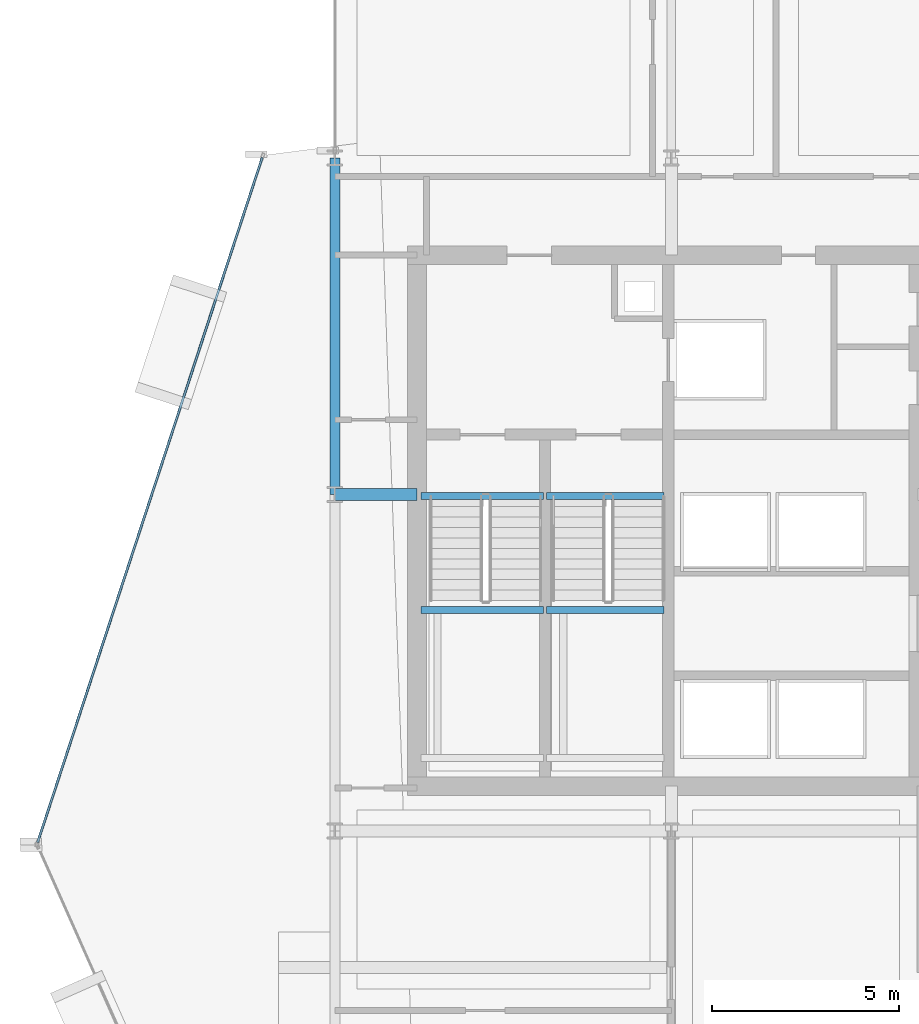
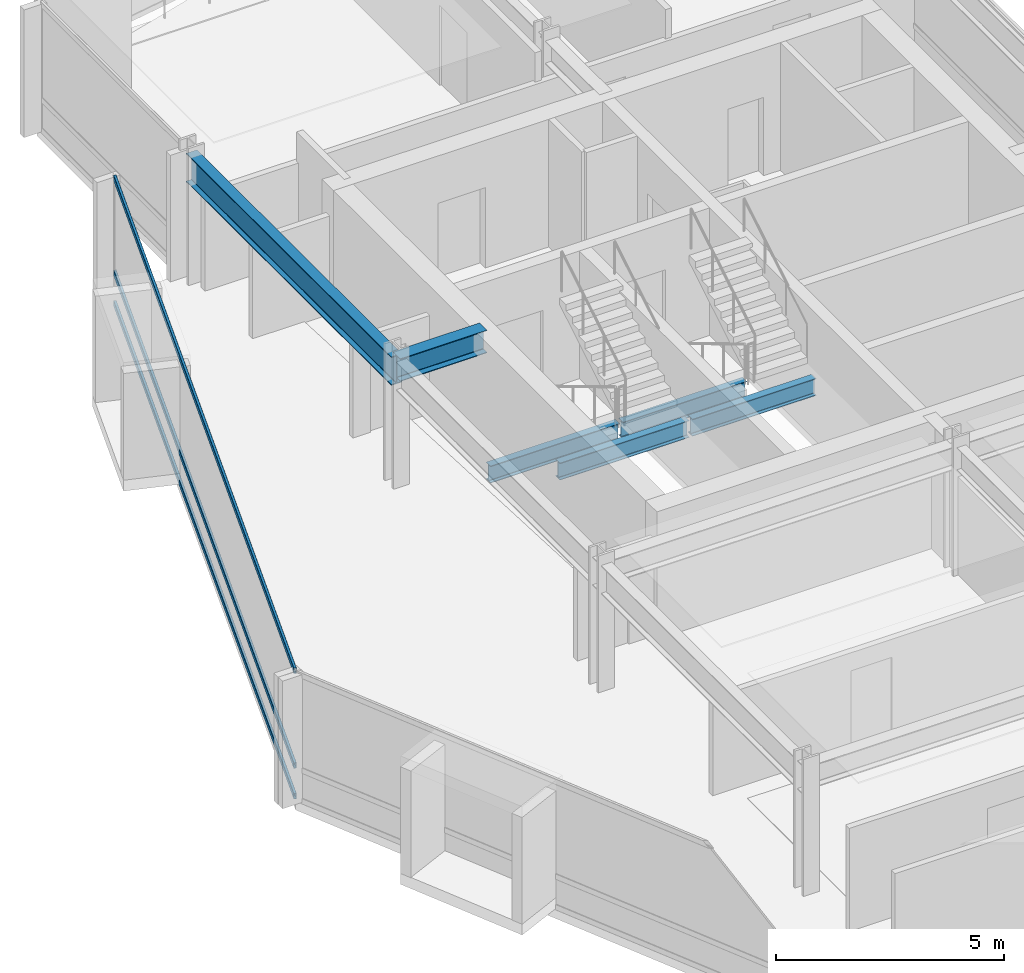
# One storey, part 15 of 29: 6 beams, 3 members, 1 element without a shape of its own.
"""IFC4 building model written with IfcOpenShell, lengths in metres."""

import ifcopenshell
import ifcopenshell.guid

model = None  # the IFC model being written
_history = None  # IfcOwnerHistory: only IFC2X3 demands one
_inside = {}  # id of a spatial element -> (the spatial element, [elements in it])
_under = {}  # id of a project, library or spatial element -> (it, [spatial elements below it])
_declared = {}  # id of a project -> (the project, [libraries it declares])
_typed = {}  # id of a type object -> (the type object, [elements of that type])
_made_of = {}  # id of a material, layer set ... -> (it, [elements and type objects made of it])


def new_model(schema):
    """Start an empty IFC model of exactly this schema.

    Asked for "IFC4X3", IfcOpenShell would pick the latest addendum, in which some entities
    have other attributes; the version numbers below select the first issue.
    IFC2X3 requires an IfcOwnerHistory on every rooted entity: one is made here for all.
    """
    global model, _history
    if schema == "IFC4X3":
        model = ifcopenshell.file(schema_version=(4, 3, 0, 0))
    else:
        model = ifcopenshell.file(schema=schema)
    _inside.clear()
    _under.clear()
    _declared.clear()
    _typed.clear()
    _made_of.clear()
    _history = None
    if model.schema == "IFC2X3":
        org = make("IfcOrganization", Name="unknown")
        user = make(
            "IfcPersonAndOrganization",
            ThePerson=make("IfcPerson", FamilyName="unknown"),
            TheOrganization=org,
        )
        app = make(
            "IfcApplication",
            ApplicationDeveloper=org,
            Version="unknown",
            ApplicationFullName="unknown",
            ApplicationIdentifier="unknown",
        )
        _history = make(
            "IfcOwnerHistory",
            OwningUser=user,
            OwningApplication=app,
            ChangeAction="ADDED",
            CreationDate=0,
        )
    return model


def make(cls, **values):
    """One entity of the class cls with the attributes given. An attribute that is None is left unset."""
    return model.create_entity(
        cls, **{name: value for name, value in values.items() if value is not None}
    )


def rooted(cls, **values):
    """An entity with a GlobalId (a new one), such as an element, a storey or a relation."""
    return make(cls, GlobalId=ifcopenshell.guid.new(), OwnerHistory=_history, **values)


def si_unit(unit_type, name, prefix=None):
    """IfcSIUnit, for example si_unit("LENGTHUNIT", "METRE", prefix="MILLI")."""
    return make("IfcSIUnit", UnitType=unit_type, Prefix=prefix, Name=name)


def assignment(units):
    """IfcUnitAssignment: the units of a project."""
    return None if units is None else make("IfcUnitAssignment", Units=units)


def point(xyz):
    """IfcCartesianPoint."""
    return None if xyz is None else make("IfcCartesianPoint", Coordinates=xyz)


def direction(xyz):
    """IfcDirection."""
    return None if xyz is None else make("IfcDirection", DirectionRatios=xyz)


def frame(location, z_axis=None, x_axis=None):
    """IfcAxis2Placement3D, a coordinate frame: its origin and axes. An axis left out is left unset."""
    return make(
        "IfcAxis2Placement3D",
        Location=point(location),
        Axis=direction(z_axis),
        RefDirection=direction(x_axis),
    )


def frame_2d(location, x_axis=None):
    """IfcAxis2Placement2D, a coordinate frame in the plane: its origin and x axis."""
    return make(
        "IfcAxis2Placement2D", Location=point(location), RefDirection=direction(x_axis)
    )


def origin():
    """The frame at (0, 0, 0) with its axes left unset."""
    return frame((0.0, 0.0, 0.0))


def origin_2d():
    """The frame at (0, 0) in the plane with its x axis left unset."""
    return frame_2d((0.0, 0.0))


def place(relative_to, where):
    """IfcLocalPlacement: puts the frame where relative to a parent placement (None: the world)."""
    return make(
        "IfcLocalPlacement", PlacementRelTo=relative_to, RelativePlacement=where
    )


def context(
    kind, dimensions, precision=None, world=None, true_north=None, identifier=None
):
    """IfcGeometricRepresentationContext, for example the 3D "Model" context."""
    return make(
        "IfcGeometricRepresentationContext",
        ContextIdentifier=identifier,
        ContextType=kind,
        CoordinateSpaceDimension=dimensions,
        Precision=precision,
        WorldCoordinateSystem=world,
        TrueNorth=true_north,
    )


def subcontext(parent, identifier, kind, view, scale=None):
    """IfcGeometricRepresentationSubContext, for example "Body" below "Model"."""
    return make(
        "IfcGeometricRepresentationSubContext",
        ContextIdentifier=identifier,
        ContextType=kind,
        ParentContext=parent,
        TargetScale=scale,
        TargetView=view,
    )


def project(units=None, contexts=None):
    """IfcProject with its units and contexts."""
    return rooted(
        "IfcProject",
        Name="project",
        RepresentationContexts=contexts,
        UnitsInContext=assignment(units),
    )


def spatial(cls, under=None, at=None, **own):
    """A site, building, storey or space (cls), placed at a placement, below another one or the project."""
    s = rooted(cls, ObjectPlacement=at, **own)
    if under is not None:
        _under.setdefault(under.id(), (under, []))[1].append(s)
    return s


def profile(cls, at=None, kind="AREA", **sizes):
    """A parametric profile (cls). Its sizes go by their IFC names, for example OverallWidth=200.0."""
    return make(cls, ProfileType=kind, Position=at, **sizes)


def hollow_rectangle(**sizes):
    """IfcRectangleHollowProfileDef."""
    return profile("IfcRectangleHollowProfileDef", **sizes)


def i_section(**sizes):
    """IfcIShapeProfileDef."""
    return profile("IfcIShapeProfileDef", **sizes)


def extrude(swept, where, along, depth):
    """IfcExtrudedAreaSolid: the profile swept, set in the frame where, extruded along a direction by depth."""
    return make(
        "IfcExtrudedAreaSolid",
        SweptArea=swept,
        Position=where,
        ExtrudedDirection=direction(along),
        Depth=depth,
    )


def shape(context_of_items, identifier, shape_type, items):
    """IfcShapeRepresentation: the items that make up one representation, for example the "Body"."""
    return make(
        "IfcShapeRepresentation",
        ContextOfItems=context_of_items,
        RepresentationIdentifier=identifier,
        RepresentationType=shape_type,
        Items=items,
    )


def material(Name=None, Category=None):
    """IfcMaterial."""
    return make("IfcMaterial", Name=Name, Category=Category)


def layer(
    of_material, thickness, ventilated=None, Name=None, Category=None, Priority=None
):
    """IfcMaterialLayer: one layer of a wall or slab, of a material (None: an air gap)."""
    return make(
        "IfcMaterialLayer",
        Material=of_material,
        LayerThickness=thickness,
        IsVentilated=ventilated,
        Name=Name,
        Category=Category,
        Priority=Priority,
    )


def layer_set(layers, Name=None):
    """IfcMaterialLayerSet."""
    return make("IfcMaterialLayerSet", MaterialLayers=layers, LayerSetName=Name)


def material_profile(
    of_material, cross_section, Name=None, Category=None, Priority=None
):
    """IfcMaterialProfile: a cross section and its material."""
    return make(
        "IfcMaterialProfile",
        Name=Name,
        Material=of_material,
        Profile=cross_section,
        Priority=Priority,
        Category=Category,
    )


def profile_set(profiles, Name=None, composite=None):
    """IfcMaterialProfileSet."""
    return make(
        "IfcMaterialProfileSet",
        Name=Name,
        MaterialProfiles=profiles,
        CompositeProfile=composite,
    )


def made_of(thing, what):
    """Note that an element or type object is made of a material, layer set ...; save() writes the relation."""
    if what is not None:
        _made_of.setdefault(what.id(), (what, []))[1].append(thing)
    return thing


def type_object(cls, material=None, **own):
    """A type object (cls), such as IfcWallType, which elements share."""
    return made_of(rooted(cls, **own), material)


def element(
    cls,
    number,
    at=None,
    inside=None,
    cuts=None,
    type_object=None,
    material=None,
    context=None,
    identifier="Body",
    shape_type=None,
    held_by="IfcProductDefinitionShape",
    body=None,
    shapes=None,
    **own,
):
    """One element of the class cls, such as IfcWall. Its Tag is "e" and its number.

    at: its placement. inside: the storey or other place that contains it. cuts: it is an
    opening in that element (IfcRelVoidsElement). A single representation is given by context,
    identifier, shape_type and body (its items); several are given by shapes. held_by: the class
    of the entity that holds the representations. save() writes the other relations.
    """
    e = rooted(cls, Tag="e%d" % number, ObjectPlacement=at, **own)
    if body is not None:
        shapes = [shape(context, identifier, shape_type, body)]
    if shapes is not None:
        e.Representation = make(held_by, Representations=shapes)
    if inside is not None:
        _inside.setdefault(inside.id(), (inside, []))[1].append(e)
    if cuts is not None:
        rooted(
            "IfcRelVoidsElement", RelatingBuildingElement=cuts, RelatedOpeningElement=e
        )
    if type_object is not None:
        _typed.setdefault(type_object.id(), (type_object, []))[1].append(e)
    return made_of(e, material)


def aggregate(whole, parts):
    """IfcRelAggregates: a whole, such as a stair, and the parts it consists of."""
    return rooted("IfcRelAggregates", RelatingObject=whole, RelatedObjects=parts)


def save(model, path):
    """Write the relations noted so far, then the file.

    IfcRelAggregates (storeys below a building ...), IfcRelContainedInSpatialStructure (elements
    in a storey), IfcRelDefinesByType, IfcRelAssociatesMaterial and IfcRelDeclares: one each for
    every whole, place, type object, material and project.
    """
    for whole, parts in _under.values():
        aggregate(whole, parts)
    for where, things in _inside.values():
        rooted(
            "IfcRelContainedInSpatialStructure",
            RelatedElements=things,
            RelatingStructure=where,
        )
    for kind, things in _typed.values():
        rooted("IfcRelDefinesByType", RelatedObjects=things, RelatingType=kind)
    for what, things in _made_of.values():
        rooted("IfcRelAssociatesMaterial", RelatedObjects=things, RelatingMaterial=what)
    for by, libraries in _declared.values():
        rooted("IfcRelDeclares", RelatingContext=by, RelatedDefinitions=libraries)
    model.write(path)


model = new_model("IFC4")

# Units and contexts
model_context = context("Model", 3, precision=1e-05, world=origin(), true_north=direction((0.0, 1.0)))
body_context = subcontext(model_context, "Body", "Model", "MODEL_VIEW")
ifc_project = project(units=[si_unit("LENGTHUNIT", "METRE"), si_unit("AREAUNIT", "SQUARE_METRE"), si_unit("VOLUMEUNIT", "CUBIC_METRE"), si_unit("PLANEANGLEUNIT", "RADIAN"), si_unit("MASSUNIT", "GRAM", prefix="KILO")], contexts=[model_context])

# Site, building, storey
site_placement = place(None, origin())
site = spatial("IfcSite", under=ifc_project, at=site_placement, CompositionType="ELEMENT")
building_placement = place(site_placement, origin())
building = spatial("IfcBuilding", under=site, at=building_placement, Name="Solvaryn Broadcast Tower", CompositionType="ELEMENT")
storey_placement = place(building_placement, frame((0.0, 0.0, 143.300048828125)))
storey = spatial("IfcBuildingStorey", under=building, at=storey_placement, Name="L35", CompositionType="ELEMENT", Elevation=143.300048828125)

# Beams
ifc_material_1 = material(Name="Steel ASTM A992 Grade 50", Category="steel")
ifc_material_profile_1 = material_profile(ifc_material_1, i_section(OverallWidth=0.323974609375, OverallDepth=0.611083984375, WebThickness=0.0126953125, FlangeThickness=0.01904296875, FilletRadius=0.014892578125, at=origin_2d()))
ifc_profile_set_1 = profile_set([ifc_material_profile_1], Name="Steel ASTM A992 Grade 50")
beam_type_1 = type_object("IfcBeamType", Name="BM-B1-W24X104", PredefinedType="BEAM", material=ifc_profile_set_1)
beam_1_placement = place(storey_placement, frame((9.0, 36.0, 3.114501953125), z_axis=(1.0, 0.0, 0.0), x_axis=(0.0, 1.0, 0.0)))
element("IfcBeam", 1, at=beam_1_placement, inside=storey, type_object=beam_type_1, Name="L35 Core Tie Beam CTW1", PredefinedType="BEAM", context=body_context, shape_type="SweptSolid", body=[
    extrude(i_section(OverallWidth=0.323974609375, OverallDepth=0.611083984375, WebThickness=0.0126953125, FlangeThickness=0.01904296875, FilletRadius=0.014892578125, at=origin_2d()), origin(), (0.0, 0.0, 1.0), 2.199951171875),
])
ifc_material_2 = material(Name="Steel ASTM A992 Grade 50", Category="steel")
ifc_material_profile_2 = material_profile(ifc_material_2, i_section(OverallWidth=0.18994140625, OverallDepth=0.45703125, WebThickness=0.009033203125, FlangeThickness=0.014404296875, FilletRadius=0.011962890625, at=origin_2d()))
ifc_profile_set_2 = profile_set([ifc_material_profile_2], Name="Steel ASTM A992 Grade 50")
beam_type_2 = type_object("IfcBeamType", Name="BM-B4-W18X50", PredefinedType="BEAM", material=ifc_profile_set_2)
for number, where, z_axis, x_axis, name in (
    (2, (11.300048828125, 35.9599609375, -0.508544921875), (1.0, 0.0, 0.0), (0.0, 1.0, 0.0), "L35 ST1 Stair Well Trimmer Beam"),
    (3, (11.300048828125, 32.909912109375, 1.42138671875), (1.0, 0.0, 0.0), (0.0, 1.0, 0.0), "L35 ST1 Landing Support Beam 1B"),
):
    element("IfcBeam", number, at=place(storey_placement, frame(where, z_axis=z_axis, x_axis=x_axis)), inside=storey, type_object=beam_type_2, Name=name, PredefinedType="BEAM", context=body_context, shape_type="SweptSolid", body=[
        extrude(i_section(OverallWidth=0.18994140625, OverallDepth=0.45703125, WebThickness=0.009033203125, FlangeThickness=0.014404296875, FilletRadius=0.011962890625, at=origin_2d()), origin(), (0.0, 0.0, 1.0), 3.280029296875),
    ])
for number, where, z_axis, x_axis, name in (
    (4, (14.659912109375, 35.9599609375, -0.508544921875), (1.0, 0.0, 0.0), (0.0, 1.0, 0.0), "L35 ST2 Stair Well Trimmer Beam"),
    (5, (14.659912109375, 32.909912109375, 1.42138671875), (1.0, 0.0, 0.0), (0.0, 1.0, 0.0), "L35 ST2 Landing Support Beam 1B"),
):
    element("IfcBeam", number, at=place(storey_placement, frame(where, z_axis=z_axis, x_axis=x_axis)), inside=storey, type_object=beam_type_2, Name=name, PredefinedType="BEAM", context=body_context, shape_type="SweptSolid", body=[
        extrude(i_section(OverallWidth=0.18994140625, OverallDepth=0.45703125, WebThickness=0.009033203125, FlangeThickness=0.014404296875, FilletRadius=0.011962890625, at=origin_2d()), origin(), (0.0, 0.0, 1.0), 3.14013671875),
    ])
ifc_material_3 = material(Name="Steel ASTM A992 Grade 50", Category="steel")
ifc_material_profile_3 = material_profile(ifc_material_3, i_section(OverallWidth=0.26708984375, OverallDepth=0.76611328125, WebThickness=0.014892578125, FlangeThickness=0.023681640625, FilletRadius=0.01806640625, at=origin_2d()))
ifc_profile_set_3 = profile_set([ifc_material_profile_3], Name="Steel ASTM A992 Grade 50")
beam_type_3 = type_object("IfcBeamType", Name="BM-SP2-W30X124", PredefinedType="USERDEFINED", material=ifc_profile_set_3)
beam_2_placement = place(storey_placement, frame((9.0, 36.0, 3.036865234375), z_axis=(0.0, 1.0, 0.0), x_axis=(-1.0, 0.0, 0.0)))
element("IfcBeam", 6, at=beam_2_placement, inside=storey, type_object=beam_type_3, Name="L35 Spandrel Beam Y (36-45 @ X=9)", ObjectType="SPANDREL", PredefinedType="USERDEFINED", context=body_context, shape_type="SweptSolid", body=[
    extrude(i_section(OverallWidth=0.26708984375, OverallDepth=0.76611328125, WebThickness=0.014892578125, FlangeThickness=0.023681640625, FilletRadius=0.01806640625, at=origin_2d()), origin(), (0.0, 0.0, 1.0), 9.0),
])

# Curtain wall, members
ifc_material_4 = material(Name="Aluminium and Terracotta Unitised Curtain Wall", Category="masonry")
ifc_layer = layer(ifc_material_4, 0.199951171875)
ifc_layer_set = layer_set([ifc_layer], Name="CW-SYS2-LOWMID")
curtain_wall_type = type_object("IfcCurtainWallType", Name="CW-SYS2-LOWMID", PredefinedType="NOTDEFINED", material=ifc_layer_set)
curtain_wall_placement = place(storey_placement, origin())
curtain_wall = element("IfcCurtainWall", 7, at=curtain_wall_placement, inside=storey, type_object=curtain_wall_type, Name="L35 Curtain Wall DR1", PredefinedType="NOTDEFINED")
ifc_material_5 = material(Name="Anodised Aluminium 6063-T6", Category="aluminium")
ifc_material_profile_4 = material_profile(ifc_material_5, hollow_rectangle(XDim=0.06494140625, YDim=0.14990234375, WallThickness=0.00390625, InnerFilletRadius=0.00390625, OuterFilletRadius=0.008056640625, at=origin_2d()))
ifc_profile_set_4 = profile_set([ifc_material_profile_4], Name="Anodised Aluminium 6063-T6")
member_type = type_object("IfcMemberType", Name="CW-TRN-150", PredefinedType="USERDEFINED", material=ifc_profile_set_4)
member_1_placement = place(storey_placement, frame((7.060302734375, 45.010009765625, 0.030029296875), z_axis=(-0.31164571445, -0.950198373323, 0.0), x_axis=(0.950198373323, -0.31164571445, 0.0)))
member_1 = element("IfcMember", 8, at=member_1_placement, type_object=member_type, Name="CWS2 transom 1.1", ObjectType="TRANSOM", PredefinedType="USERDEFINED", context=body_context, shape_type="SweptSolid", body=[
    extrude(hollow_rectangle(XDim=0.06494140625, YDim=0.14990234375, WallThickness=0.00390625, InnerFilletRadius=0.00390625, OuterFilletRadius=0.008056640625, at=origin_2d()), origin(), (0.0, 0.0, 1.0), 19.27685546875),
])
member_2_placement = place(storey_placement, frame((7.060302734375, 45.010009765625, 0.849853515625), z_axis=(-0.31164571445, -0.950198373323, 0.0), x_axis=(0.950198373323, -0.31164571445, 0.0)))
member_2 = element("IfcMember", 9, at=member_2_placement, type_object=member_type, Name="CWS2 transom 1.2", ObjectType="TRANSOM", PredefinedType="USERDEFINED", context=body_context, shape_type="SweptSolid", body=[
    extrude(hollow_rectangle(XDim=0.06494140625, YDim=0.14990234375, WallThickness=0.00390625, InnerFilletRadius=0.00390625, OuterFilletRadius=0.008056640625, at=origin_2d()), origin(), (0.0, 0.0, 1.0), 19.27685546875),
])
member_3_placement = place(storey_placement, frame((7.060302734375, 45.010009765625, 3.389892578125), z_axis=(-0.31164571445, -0.950198373323, 0.0), x_axis=(0.950198373323, -0.31164571445, 0.0)))
member_3 = element("IfcMember", 10, at=member_3_placement, type_object=member_type, Name="CWS2 transom 1.3", ObjectType="TRANSOM", PredefinedType="USERDEFINED", context=body_context, shape_type="SweptSolid", body=[
    extrude(hollow_rectangle(XDim=0.06494140625, YDim=0.14990234375, WallThickness=0.00390625, InnerFilletRadius=0.00390625, OuterFilletRadius=0.008056640625, at=origin_2d()), origin(), (0.0, 0.0, 1.0), 19.27685546875),
])
aggregate(curtain_wall, [member_1, member_2, member_3])

save(model, "model.ifc")
